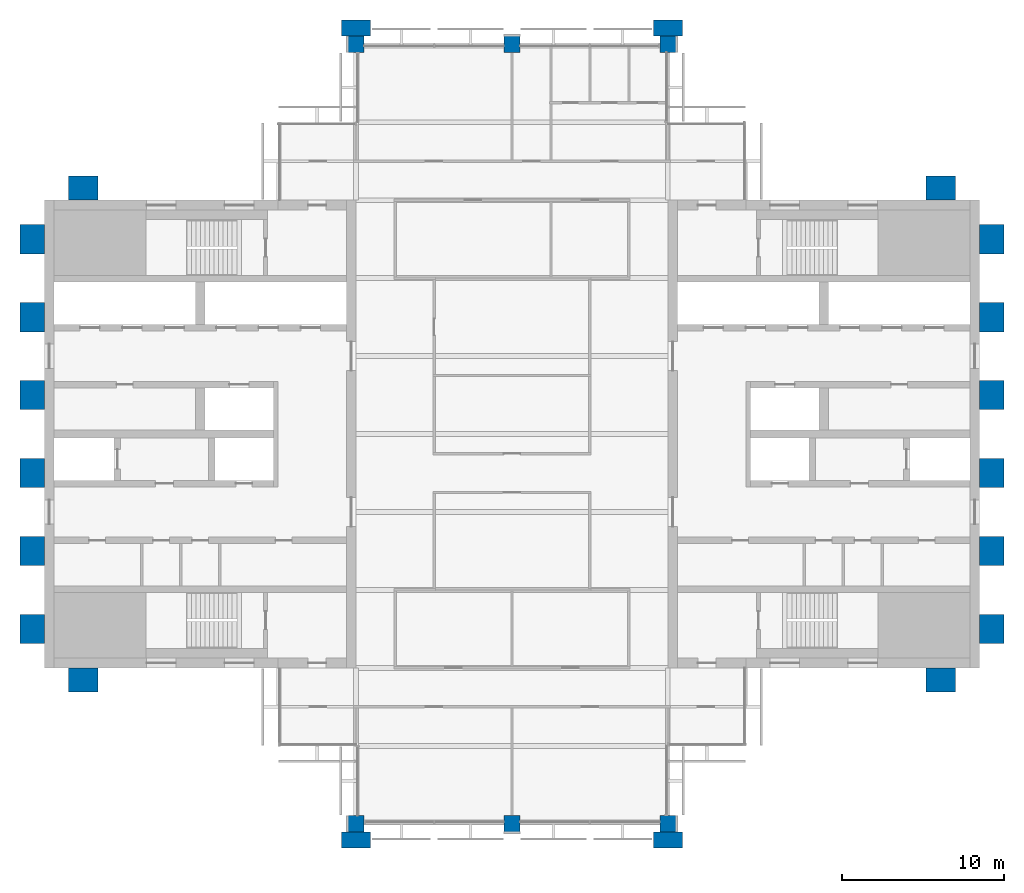
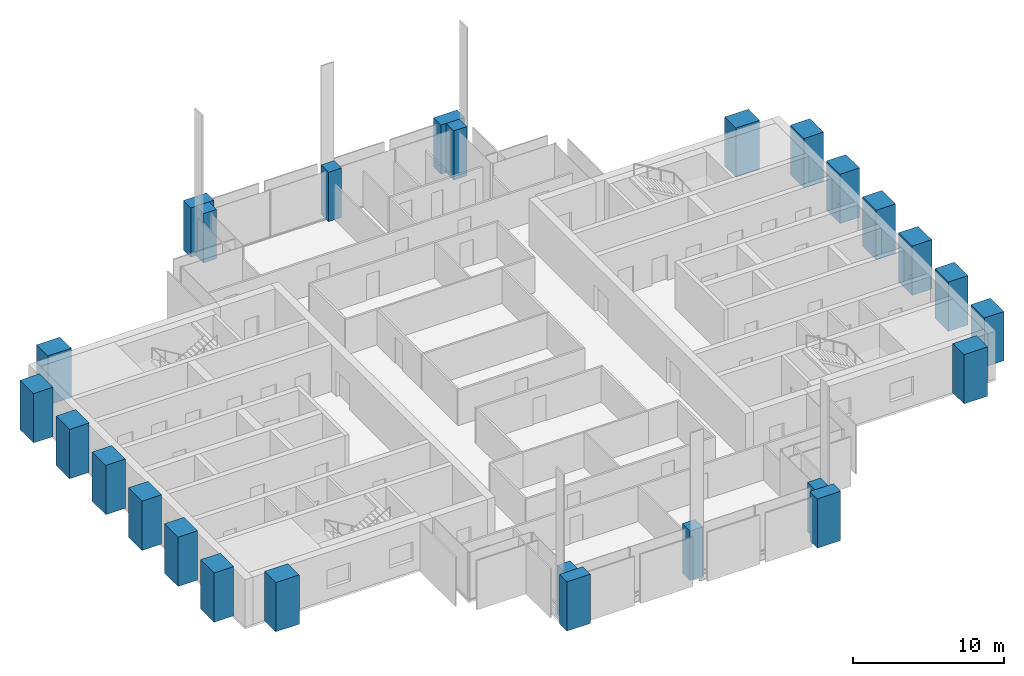
# One storey, part 1 of 13: 26 columns.
"""IFC4 building model written with IfcOpenShell, lengths in metres."""

from ifc_helpers import new_model, si_unit, direction, frame, origin, origin_2d, place, context, subcontext, project, spatial, rectangle, extrude, material, material_profile, profile_set, type_object, element, save


model = new_model("IFC4")

# Units and contexts
model_context = context("Model", 3, precision=1e-05, world=origin(), true_north=direction((0.0, 1.0)))
body_context = subcontext(model_context, "Body", "Model", "MODEL_VIEW")
ifc_project = project(units=[si_unit("LENGTHUNIT", "METRE"), si_unit("AREAUNIT", "SQUARE_METRE"), si_unit("VOLUMEUNIT", "CUBIC_METRE"), si_unit("PLANEANGLEUNIT", "RADIAN"), si_unit("MASSUNIT", "GRAM", prefix="KILO")], contexts=[model_context])

# Site, building, storey
site_placement = place(None, origin())
site = spatial("IfcSite", under=ifc_project, at=site_placement, CompositionType="ELEMENT")
building_placement = place(site_placement, origin())
building = spatial("IfcBuilding", under=site, at=building_placement, Name="Baori Bourse Tower", CompositionType="ELEMENT")
storey_placement = place(building_placement, frame((0.0, 0.0, 318.300048828125)))
storey = spatial("IfcBuildingStorey", under=building, at=storey_placement, Name="L70", CompositionType="ELEMENT", Elevation=318.300048828125)

# Columns
ifc_material_1 = material(Name="Concrete f'c 60 MPa", Category="concrete")
ifc_material_profile_1 = material_profile(ifc_material_1, rectangle(XDim=1.800048828125, YDim=1.0, at=origin_2d()), Name="RC 1800x1000")
ifc_profile_set_1 = profile_set([ifc_material_profile_1], Name="Concrete f'c 60 MPa")
column_type_1 = type_object("IfcColumnType", Name="FN3 Brick pilaster 1800x1000", PredefinedType="PILASTER", material=ifc_profile_set_1)
for number, where, z_axis, x_axis, name in (
    (1, (19.199951171875, -1.0, 0.0), (0.0, 0.0, 1.0), (1.0, 0.0, 0.0), "Brick pilaster L70 17"),
    (2, (38.39990234375, -1.0, 0.0), (0.0, 0.0, 1.0), (1.0, 0.0, 0.0), "Brick pilaster L70 18"),
    (3, (19.199951171875, 49.0, 0.0), (0.0, 0.0, 1.0), (1.0, 0.0, 0.0), "Brick pilaster L70 19"),
    (4, (38.39990234375, 49.0, 0.0), (0.0, 0.0, 1.0), (1.0, 0.0, 0.0), "Brick pilaster L70 20"),
):
    element("IfcColumn", number, at=place(storey_placement, frame(where, z_axis=z_axis, x_axis=x_axis)), inside=storey, type_object=column_type_1, Name=name, PredefinedType="PILASTER", context=body_context, shape_type="SweptSolid", body=[
        extrude(rectangle(XDim=1.800048828125, YDim=1.0, at=origin_2d()), origin(), (0.0, 0.0, 1.0), 4.0),
    ])
ifc_material_2 = material(Name="Concrete f'c 60 MPa", Category="concrete")
ifc_material_profile_2 = material_profile(ifc_material_2, rectangle(XDim=1.800048828125, YDim=1.5, at=origin_2d()), Name="RC 1800x1500")
ifc_profile_set_2 = profile_set([ifc_material_profile_2], Name="Concrete f'c 60 MPa")
column_type_2 = type_object("IfcColumnType", Name="FN4 Brick flank pilaster 1800x1500", PredefinedType="PILASTER", material=ifc_profile_set_2)
for number, where, z_axis, x_axis, name in (
    (5, (55.199951171875, 8.85009765625, 0.0), (0.0, 0.0, 1.0), (1.0, 0.0, 0.0), "Brick pilaster L70 1"),
    (6, (58.35009765625, 12.0, 0.0), (0.0, 0.0, 1.0), (0.0, 1.0, 0.0), "Brick pilaster L70 2"),
    (7, (58.35009765625, 16.800048828125, 0.0), (0.0, 0.0, 1.0), (0.0, 1.0, 0.0), "Brick pilaster L70 3"),
    (8, (58.35009765625, 21.60009765625, 0.0), (0.0, 0.0, 1.0), (0.0, 1.0, 0.0), "Brick pilaster L70 4"),
    (9, (58.35009765625, 26.39990234375, 0.0), (0.0, 0.0, 1.0), (0.0, 1.0, 0.0), "Brick pilaster L70 5"),
    (10, (58.35009765625, 31.199951171875, 0.0), (0.0, 0.0, 1.0), (0.0, 1.0, 0.0), "Brick pilaster L70 6"),
    (11, (58.35009765625, 36.0, 0.0), (0.0, 0.0, 1.0), (0.0, 1.0, 0.0), "Brick pilaster L70 7"),
    (12, (55.199951171875, 39.14990234375, 0.0), (0.0, 0.0, 1.0), (1.0, 0.0, 0.0), "Brick pilaster L70 8"),
    (13, (2.39990234375, 39.14990234375, 0.0), (0.0, 0.0, 1.0), (1.0, 0.0, 0.0), "Brick pilaster L70 9"),
    (14, (-0.75, 12.0, 0.0), (0.0, 0.0, 1.0), (0.0, 1.0, 0.0), "Brick pilaster L70 10"),
    (15, (-0.75, 16.800048828125, 0.0), (0.0, 0.0, 1.0), (0.0, 1.0, 0.0), "Brick pilaster L70 11"),
    (16, (-0.75, 21.60009765625, 0.0), (0.0, 0.0, 1.0), (0.0, 1.0, 0.0), "Brick pilaster L70 12"),
    (17, (-0.75, 26.39990234375, 0.0), (0.0, 0.0, 1.0), (0.0, 1.0, 0.0), "Brick pilaster L70 13"),
    (18, (-0.75, 31.199951171875, 0.0), (0.0, 0.0, 1.0), (0.0, 1.0, 0.0), "Brick pilaster L70 14"),
    (19, (-0.75, 36.0, 0.0), (0.0, 0.0, 1.0), (0.0, 1.0, 0.0), "Brick pilaster L70 15"),
    (20, (2.39990234375, 8.85009765625, 0.0), (0.0, 0.0, 1.0), (1.0, 0.0, 0.0), "Brick pilaster L70 16"),
):
    element("IfcColumn", number, at=place(storey_placement, frame(where, z_axis=z_axis, x_axis=x_axis)), inside=storey, type_object=column_type_2, Name=name, PredefinedType="PILASTER", context=body_context, shape_type="SweptSolid", body=[
        extrude(rectangle(XDim=1.800048828125, YDim=1.5, at=origin_2d()), origin(), (0.0, 0.0, 1.0), 4.0),
    ])
ifc_material_3 = material(Name="Concrete f'c 40 MPa", Category="concrete")
ifc_material_profile_3 = material_profile(ifc_material_3, rectangle(XDim=1.0, YDim=1.0, at=origin_2d()), Name="RC 1000x1000")
ifc_profile_set_3 = profile_set([ifc_material_profile_3], Name="Concrete f'c 40 MPa")
column_type_3 = type_object("IfcColumnType", Name="Perimeter column 40 RC 1000x1000", PredefinedType="COLUMN", material=ifc_profile_set_3)
for number, where, z_axis, x_axis, name in (
    (21, (19.199951171875, 0.0, 0.0), (0.0, 0.0, 1.0), (1.0, 0.0, 0.0), "Perimeter column L70"),
    (22, (28.800048828125, 0.0, 0.0), (0.0, 0.0, 1.0), (1.0, 0.0, 0.0), "Perimeter column L70"),
    (23, (38.39990234375, 0.0, 0.0), (0.0, 0.0, 1.0), (1.0, 0.0, 0.0), "Perimeter column L70"),
    (24, (19.199951171875, 48.0, 0.0), (0.0, 0.0, 1.0), (1.0, 0.0, 0.0), "Perimeter column L70"),
    (25, (28.800048828125, 48.0, 0.0), (0.0, 0.0, 1.0), (1.0, 0.0, 0.0), "Perimeter column L70"),
    (26, (38.39990234375, 48.0, 0.0), (0.0, 0.0, 1.0), (1.0, 0.0, 0.0), "Perimeter column L70"),
):
    element("IfcColumn", number, at=place(storey_placement, frame(where, z_axis=z_axis, x_axis=x_axis)), inside=storey, type_object=column_type_3, Name=name, PredefinedType="COLUMN", context=body_context, shape_type="SweptSolid", body=[
        extrude(rectangle(XDim=1.0, YDim=1.0, at=origin_2d()), origin(), (0.0, 0.0, 1.0), 4.0),
    ])

save(model, "model.ifc")
